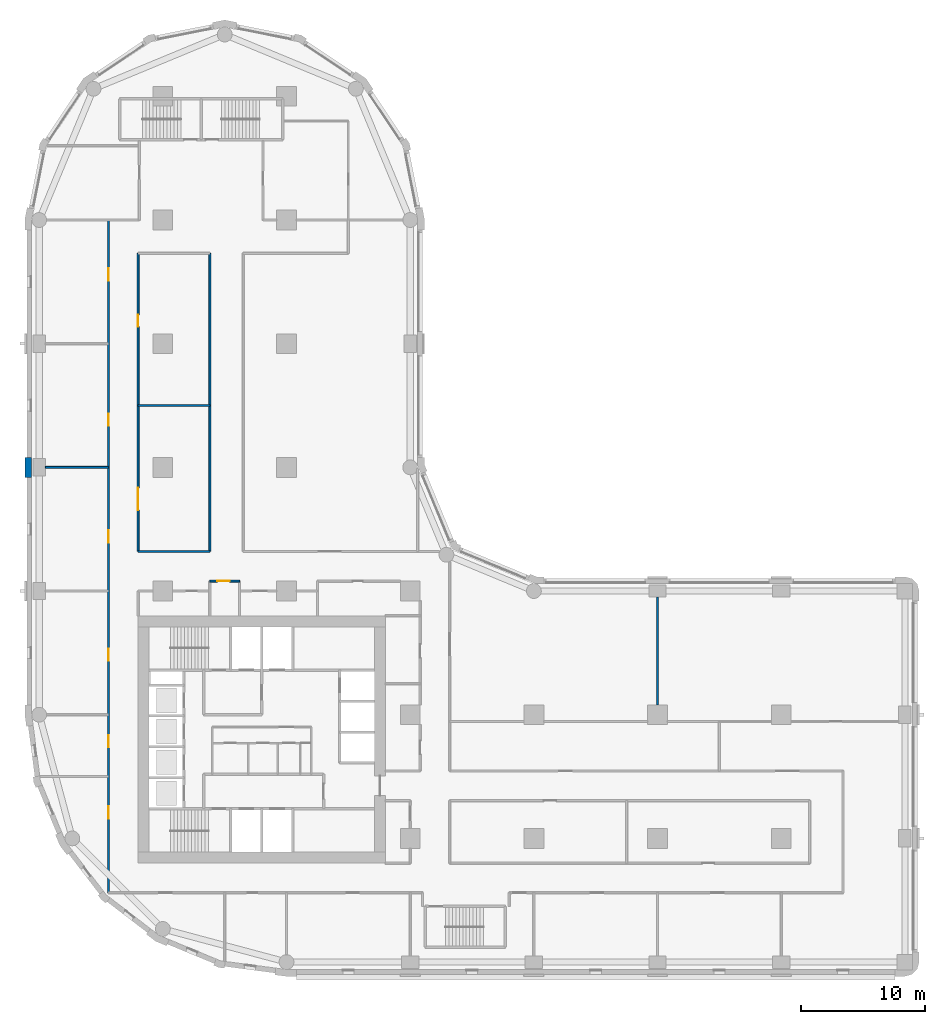
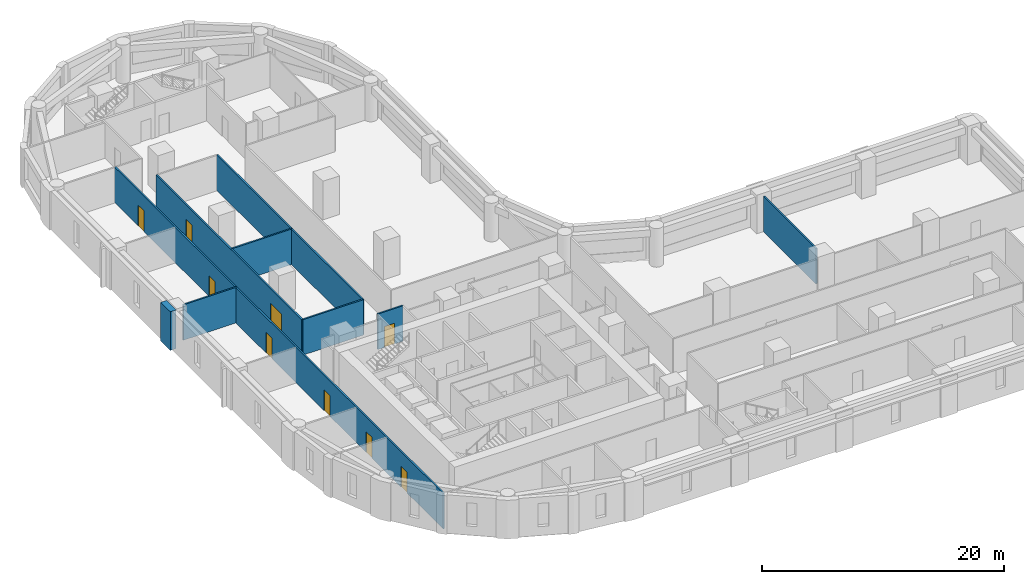
# One storey, part 5 of 11: 9 doors, 9 walls, 9 openings.
"""IFC4 building model written with IfcOpenShell, lengths in metres."""

from ifc_helpers import new_model, si_unit, direction, frame, frame_2d, origin, place, context, subcontext, project, spatial, polyline, rectangle, outline, extrude, material, layer, layer_set, type_object, element, fill, save


model = new_model("IFC4")

# Units and contexts
model_context = context("Model", 3, precision=1e-05, world=origin(), true_north=direction((0.0, 1.0)))
body_context = subcontext(model_context, "Body", "Model", "MODEL_VIEW")
ifc_project = project(units=[si_unit("LENGTHUNIT", "METRE"), si_unit("AREAUNIT", "SQUARE_METRE"), si_unit("VOLUMEUNIT", "CUBIC_METRE"), si_unit("PLANEANGLEUNIT", "RADIAN"), si_unit("MASSUNIT", "GRAM", prefix="KILO")], contexts=[model_context])

# Site, building, storey
site_placement = place(None, origin())
site = spatial("IfcSite", under=ifc_project, at=site_placement, CompositionType="ELEMENT")
building_placement = place(site_placement, origin())
building = spatial("IfcBuilding", under=site, at=building_placement, Name="Qaws Garden Tower", CompositionType="ELEMENT")
storey_placement = place(building_placement, frame((0.0, 0.0, 23.699951171875)))
storey = spatial("IfcBuildingStorey", under=building, at=storey_placement, Name="L05", CompositionType="ELEMENT", Elevation=23.699951171875)

# Wall
ifc_material_1 = material(Name="Clay facing brick masonry", Category="masonry")
ifc_layer_1 = layer(ifc_material_1, 0.550048828125)
ifc_layer_set_1 = layer_set([ifc_layer_1], Name="Clay facing brick masonry")
wall_type_1 = type_object("IfcWallType", Name="Brick pier 550 x 1600", PredefinedType="SOLIDWALL", material=ifc_layer_set_1)
wall_1_placement = place(storey_placement, origin())
element("IfcWall", 1, at=wall_1_placement, inside=storey, type_object=wall_type_1, Name="E-L05-pier-25", PredefinedType="SOLIDWALL", context=body_context, shape_type="SweptSolid", body=[
    extrude(outline(polyline([(-1.0, 40.800048828125), (-1.14990234375, 40.800048828125), (-1.14990234375, 40.0), (-1.14990234375, 39.199951171875), (-1.0, 39.199951171875), (-0.60009765625, 39.199951171875), (-0.60009765625, 40.0), (-0.60009765625, 40.800048828125), (-1.0, 40.800048828125)])), origin(), (0.0, 0.0, 1.0), 3.900146484375),
])

# Wall, openings, doors
ifc_material_2 = material(Name="Gypsum board partition")
ifc_layer_2 = layer(ifc_material_2, 0.14990234375)
ifc_layer_set_2 = layer_set([ifc_layer_2], Name="Gypsum board partition")
wall_type_2 = type_object("IfcWallType", Name="PARTITION 150 EI 60", PredefinedType="PARTITIONING", material=ifc_layer_set_2)
wall_2_placement = place(storey_placement, frame((5.60009765625, 5.60009765625, 0.0), z_axis=(0.0, 0.0, 1.0), x_axis=(0.0, 1.0, 0.0)))
wall_2 = element("IfcWall", 2, at=wall_2_placement, inside=storey, type_object=wall_type_2, Name="O-L05-wall-005", PredefinedType="PARTITIONING", context=body_context, shape_type="SweptSolid", body=[
    extrude(rectangle(XDim=54.39990234375, YDim=0.14990234375, at=frame_2d((27.199951171875, 0.0))), origin(), (0.0, 0.0, 1.0), 3.580078125),
])
opening_1_placement = place(wall_2_placement, frame((6.0, 0.0, 0.0)))
opening_1 = element("IfcOpeningElement", 3, at=opening_1_placement, cuts=wall_2, Name="Opening A201", PredefinedType="OPENING", context=body_context, shape_type="SweptSolid", body=[
    extrude(rectangle(XDim=1.0, YDim=2.10009765625, at=frame_2d((0.5, 1.050048828125))), frame((0.0, 0.0849609375, 0.0), z_axis=(0.0, -1.0, 0.0), x_axis=(1.0, 0.0, 0.0)), (0.0, 0.0, 1.0), 0.169921875),
])
opening_2_placement = place(wall_2_placement, frame((11.75, 0.0, 0.0)))
opening_2 = element("IfcOpeningElement", 4, at=opening_2_placement, cuts=wall_2, Name="Opening A202", PredefinedType="OPENING", context=body_context, shape_type="SweptSolid", body=[
    extrude(rectangle(XDim=1.0, YDim=2.10009765625, at=frame_2d((0.5, 1.050048828125))), frame((0.0, 0.0849609375, 0.0), z_axis=(0.0, -1.0, 0.0), x_axis=(1.0, 0.0, 0.0)), (0.0, 0.0, 1.0), 0.169921875),
])
opening_3_placement = place(wall_2_placement, frame((18.75, 0.0, 0.0)))
opening_3 = element("IfcOpeningElement", 5, at=opening_3_placement, cuts=wall_2, Name="Opening A212", PredefinedType="OPENING", context=body_context, shape_type="SweptSolid", body=[
    extrude(rectangle(XDim=1.0, YDim=2.10009765625, at=frame_2d((0.5, 1.050048828125))), frame((0.0, 0.0849609375, 0.0), z_axis=(0.0, -1.0, 0.0), x_axis=(1.0, 0.0, 0.0)), (0.0, 0.0, 1.0), 0.169921875),
])
opening_4_placement = place(wall_2_placement, frame((28.300048828125, 0.0, 0.0)))
opening_4 = element("IfcOpeningElement", 6, at=opening_4_placement, cuts=wall_2, Name="Opening A222", PredefinedType="OPENING", context=body_context, shape_type="SweptSolid", body=[
    extrude(rectangle(XDim=1.0, YDim=2.10009765625, at=frame_2d((0.5, 1.050048828125))), frame((0.0, 0.0849609375, 0.0), z_axis=(0.0, -1.0, 0.0), x_axis=(1.0, 0.0, 0.0)), (0.0, 0.0, 1.0), 0.169921875),
])
opening_5_placement = place(wall_2_placement, frame((37.75, 0.0, 0.0)))
opening_5 = element("IfcOpeningElement", 7, at=opening_5_placement, cuts=wall_2, Name="Opening A224", PredefinedType="OPENING", context=body_context, shape_type="SweptSolid", body=[
    extrude(rectangle(XDim=1.0, YDim=2.10009765625, at=frame_2d((0.5, 1.050048828125))), frame((0.0, 0.0849609375, 0.0), z_axis=(0.0, -1.0, 0.0), x_axis=(1.0, 0.0, 0.0)), (0.0, 0.0, 1.0), 0.169921875),
])
opening_6_placement = place(wall_2_placement, frame((49.5, 0.0, 0.0)))
opening_6 = element("IfcOpeningElement", 8, at=opening_6_placement, cuts=wall_2, Name="Opening A225", PredefinedType="OPENING", context=body_context, shape_type="SweptSolid", body=[
    extrude(rectangle(XDim=1.0, YDim=2.10009765625, at=frame_2d((0.5, 1.050048828125))), frame((0.0, 0.0849609375, 0.0), z_axis=(0.0, -1.0, 0.0), x_axis=(1.0, 0.0, 0.0)), (0.0, 0.0, 1.0), 0.169921875),
])
ifc_material_3 = material(Name="Timber door leaf", Category="wood")
door_type_1 = type_object("IfcDoorType", Name="TENANCY ENTRANCE DOOR 1000 X 2100", OperationType="SINGLE_SWING_LEFT", PredefinedType="DOOR", material=ifc_material_3)
door_1_placement = place(opening_1_placement, origin())
door_1 = element("IfcDoor", 9, at=door_1_placement, inside=storey, type_object=door_type_1, Name="O-L05-door-001", OperationType="SINGLE_SWING_RIGHT", OverallHeight=2.10009765625, OverallWidth=1.0, PredefinedType="DOOR", context=body_context, shape_type="SweptSolid", body=[
    extrude(rectangle(XDim=1.0, YDim=2.10009765625, at=frame_2d((0.5, 1.050048828125))), frame((0.0, 0.02490234375, 0.0), z_axis=(0.0, -1.0, 0.0), x_axis=(1.0, 0.0, 0.0)), (0.0, 0.0, 1.0), 0.050048828125),
])
fill(opening_1, door_1)
door_2_placement = place(opening_2_placement, origin())
door_2 = element("IfcDoor", 10, at=door_2_placement, inside=storey, type_object=door_type_1, Name="O-L05-door-002", OperationType="SINGLE_SWING_RIGHT", OverallHeight=2.10009765625, OverallWidth=1.0, PredefinedType="DOOR", context=body_context, shape_type="SweptSolid", body=[
    extrude(rectangle(XDim=1.0, YDim=2.10009765625, at=frame_2d((0.5, 1.050048828125))), frame((0.0, 0.02490234375, 0.0), z_axis=(0.0, -1.0, 0.0), x_axis=(1.0, 0.0, 0.0)), (0.0, 0.0, 1.0), 0.050048828125),
])
fill(opening_2, door_2)
door_3_placement = place(opening_3_placement, origin())
door_3 = element("IfcDoor", 11, at=door_3_placement, inside=storey, type_object=door_type_1, Name="O-L05-door-012", OperationType="SINGLE_SWING_RIGHT", OverallHeight=2.10009765625, OverallWidth=1.0, PredefinedType="DOOR", context=body_context, shape_type="SweptSolid", body=[
    extrude(rectangle(XDim=1.0, YDim=2.10009765625, at=frame_2d((0.5, 1.050048828125))), frame((0.0, 0.02490234375, 0.0), z_axis=(0.0, -1.0, 0.0), x_axis=(1.0, 0.0, 0.0)), (0.0, 0.0, 1.0), 0.050048828125),
])
fill(opening_3, door_3)
door_4_placement = place(opening_4_placement, origin())
door_4 = element("IfcDoor", 12, at=door_4_placement, inside=storey, type_object=door_type_1, Name="O-L05-door-022", OperationType="SINGLE_SWING_RIGHT", OverallHeight=2.10009765625, OverallWidth=1.0, PredefinedType="DOOR", context=body_context, shape_type="SweptSolid", body=[
    extrude(rectangle(XDim=1.0, YDim=2.10009765625, at=frame_2d((0.5, 1.050048828125))), frame((0.0, 0.02490234375, 0.0), z_axis=(0.0, -1.0, 0.0), x_axis=(1.0, 0.0, 0.0)), (0.0, 0.0, 1.0), 0.050048828125),
])
fill(opening_4, door_4)
door_5_placement = place(opening_5_placement, origin())
door_5 = element("IfcDoor", 13, at=door_5_placement, inside=storey, type_object=door_type_1, Name="O-L05-door-024", OperationType="SINGLE_SWING_LEFT", OverallHeight=2.10009765625, OverallWidth=1.0, PredefinedType="DOOR", context=body_context, shape_type="SweptSolid", body=[
    extrude(rectangle(XDim=1.0, YDim=2.10009765625, at=frame_2d((0.5, 1.050048828125))), frame((0.0, 0.02490234375, 0.0), z_axis=(0.0, -1.0, 0.0), x_axis=(1.0, 0.0, 0.0)), (0.0, 0.0, 1.0), 0.050048828125),
])
fill(opening_5, door_5)
door_6_placement = place(opening_6_placement, origin())
door_6 = element("IfcDoor", 14, at=door_6_placement, inside=storey, type_object=door_type_1, Name="O-L05-door-025", OperationType="SINGLE_SWING_LEFT", OverallHeight=2.10009765625, OverallWidth=1.0, PredefinedType="DOOR", context=body_context, shape_type="SweptSolid", body=[
    extrude(rectangle(XDim=1.0, YDim=2.10009765625, at=frame_2d((0.5, 1.050048828125))), frame((0.0, 0.02490234375, 0.0), z_axis=(0.0, -1.0, 0.0), x_axis=(1.0, 0.0, 0.0)), (0.0, 0.0, 1.0), 0.050048828125),
])
fill(opening_6, door_6)

wall_3_placement = place(storey_placement, frame((8.0, 33.199951171875, 0.0), z_axis=(0.0, 0.0, 1.0), x_axis=(0.0, 1.0, 0.0)))
wall_3 = element("IfcWall", 15, at=wall_3_placement, inside=storey, type_object=wall_type_2, Name="O-L05-wall-007", PredefinedType="PARTITIONING", context=body_context, shape_type="SweptSolid", body=[
    extrude(rectangle(XDim=24.10009765625, YDim=0.14990234375, at=frame_2d((12.050048828125, 0.0))), origin(), (0.0, 0.0, 1.0), 3.580078125),
])
opening_7_placement = place(wall_3_placement, frame((3.35009765625, 0.0, 0.0)))
opening_7 = element("IfcOpeningElement", 16, at=opening_7_placement, cuts=wall_3, Name="Opening A217", PredefinedType="OPENING", context=body_context, shape_type="SweptSolid", body=[
    extrude(rectangle(XDim=1.800048828125, YDim=2.10009765625, at=frame_2d((0.89990234375, 1.050048828125))), frame((0.0, 0.0849609375, 0.0), z_axis=(0.0, -1.0, 0.0), x_axis=(1.0, 0.0, 0.0)), (0.0, 0.0, 1.0), 0.169921875),
])
opening_8_placement = place(wall_3_placement, frame((18.14990234375, 0.0, 0.0)))
opening_8 = element("IfcOpeningElement", 17, at=opening_8_placement, cuts=wall_3, Name="Opening A218", PredefinedType="OPENING", context=body_context, shape_type="SweptSolid", body=[
    extrude(rectangle(XDim=1.0, YDim=2.10009765625, at=frame_2d((0.5, 1.050048828125))), frame((0.0, 0.0849609375, 0.0), z_axis=(0.0, -1.0, 0.0), x_axis=(1.0, 0.0, 0.0)), (0.0, 0.0, 1.0), 0.169921875),
])
ifc_material_4 = material(Name="Timber door leaf", Category="wood")
door_type_2 = type_object("IfcDoorType", Name="DOUBLE DOOR 1800 X 2100", OperationType="DOUBLE_DOOR_SINGLE_SWING", PredefinedType="DOOR", material=ifc_material_4)
door_7_placement = place(opening_7_placement, frame((1.800048828125, 0.0, 0.0), z_axis=(0.0, 0.0, 1.0), x_axis=(-1.0, 0.0, 0.0)))
door_7 = element("IfcDoor", 18, at=door_7_placement, inside=storey, type_object=door_type_2, Name="O-L05-door-017", OperationType="DOUBLE_DOOR_SINGLE_SWING", OverallHeight=2.10009765625, OverallWidth=1.800048828125, PredefinedType="DOOR", context=body_context, shape_type="SweptSolid", body=[
    extrude(rectangle(XDim=1.800048828125, YDim=2.10009765625, at=frame_2d((0.89990234375, 1.050048828125))), frame((0.0, 0.02490234375, 0.0), z_axis=(0.0, -1.0, 0.0), x_axis=(1.0, 0.0, 0.0)), (0.0, 0.0, 1.0), 0.050048828125),
])
fill(opening_7, door_7)
door_8_placement = place(opening_8_placement, frame((1.0, 0.0, 0.0), z_axis=(0.0, 0.0, 1.0), x_axis=(-1.0, 0.0, 0.0)))
door_8 = element("IfcDoor", 19, at=door_8_placement, inside=storey, type_object=door_type_1, Name="O-L05-door-018", OperationType="SINGLE_SWING_RIGHT", OverallHeight=2.10009765625, OverallWidth=1.0, PredefinedType="DOOR", context=body_context, shape_type="SweptSolid", body=[
    extrude(rectangle(XDim=1.0, YDim=2.10009765625, at=frame_2d((0.5, 1.050048828125))), frame((0.0, 0.02490234375, 0.0), z_axis=(0.0, -1.0, 0.0), x_axis=(1.0, 0.0, 0.0)), (0.0, 0.0, 1.0), 0.050048828125),
])
fill(opening_8, door_8)

# Walls
wall_4_placement = place(storey_placement, frame((13.800048828125, 33.199951171875, 0.0), z_axis=(0.0, 0.0, 1.0), x_axis=(0.0, 1.0, 0.0)))
element("IfcWall", 20, at=wall_4_placement, inside=storey, type_object=wall_type_2, Name="O-L05-wall-010", PredefinedType="PARTITIONING", context=body_context, shape_type="SweptSolid", body=[
    extrude(rectangle(XDim=24.10009765625, YDim=0.14990234375, at=frame_2d((12.050048828125, 0.0))), origin(), (0.0, 0.0, 1.0), 3.580078125),
])
wall_5_placement = place(storey_placement, frame((50.0, 20.800048828125, 0.0), z_axis=(0.0, 0.0, 1.0), x_axis=(0.0, 1.0, 0.0)))
element("IfcWall", 21, at=wall_5_placement, inside=storey, type_object=wall_type_2, Name="O-L05-wall-031", PredefinedType="PARTITIONING", context=body_context, shape_type="SweptSolid", body=[
    extrude(rectangle(XDim=8.699951171875, YDim=0.14990234375, at=frame_2d((4.35009765625, 0.0))), origin(), (0.0, 0.0, 1.0), 3.580078125),
])

# Wall, opening, door
wall_6_placement = place(storey_placement, frame((13.800048828125, 30.800048828125, 0.0), z_axis=(0.0, 0.0, 1.0), x_axis=(1.0, 0.0, 0.0)))
wall_6 = element("IfcWall", 22, at=wall_6_placement, inside=storey, type_object=wall_type_2, Name="O-L05-wall-056", PredefinedType="PARTITIONING", context=body_context, shape_type="SweptSolid", body=[
    extrude(rectangle(XDim=2.39990234375, YDim=0.14990234375, at=frame_2d((1.199951171875, 0.0))), origin(), (0.0, 0.0, 1.0), 3.580078125),
])
opening_9_placement = place(wall_6_placement, frame((0.60009765625, 0.0, 0.0)))
opening_9 = element("IfcOpeningElement", 23, at=opening_9_placement, cuts=wall_6, Name="Opening A223", PredefinedType="OPENING", context=body_context, shape_type="SweptSolid", body=[
    extrude(rectangle(XDim=1.0, YDim=2.10009765625, at=frame_2d((0.5, 1.050048828125))), frame((0.0, 0.0849609375, 0.0), z_axis=(0.0, -1.0, 0.0), x_axis=(1.0, 0.0, 0.0)), (0.0, 0.0, 1.0), 0.169921875),
])
door_9_placement = place(opening_9_placement, frame((1.0, 0.0, 0.0), z_axis=(0.0, 0.0, 1.0), x_axis=(-1.0, 0.0, 0.0)))
door_9 = element("IfcDoor", 24, at=door_9_placement, inside=storey, type_object=door_type_1, Name="O-L05-door-023", OperationType="SINGLE_SWING_RIGHT", OverallHeight=2.10009765625, OverallWidth=1.0, PredefinedType="DOOR", context=body_context, shape_type="SweptSolid", body=[
    extrude(rectangle(XDim=1.0, YDim=2.10009765625, at=frame_2d((0.5, 1.050048828125))), frame((0.0, 0.02490234375, 0.0), z_axis=(0.0, -1.0, 0.0), x_axis=(1.0, 0.0, 0.0)), (0.0, 0.0, 1.0), 0.050048828125),
])
fill(opening_9, door_9)

# Walls
wall_7_placement = place(storey_placement, frame((8.0, 33.199951171875, 0.0), z_axis=(0.0, 0.0, 1.0), x_axis=(1.0, 0.0, 0.0)))
element("IfcWall", 25, at=wall_7_placement, inside=storey, type_object=wall_type_2, Name="O-L05-wall-058", PredefinedType="PARTITIONING", context=body_context, shape_type="SweptSolid", body=[
    extrude(rectangle(XDim=5.800048828125, YDim=0.14990234375, at=frame_2d((2.89990234375, 0.0))), origin(), (0.0, 0.0, 1.0), 3.580078125),
])
wall_8_placement = place(storey_placement, frame((0.5, 40.0, 0.0), z_axis=(0.0, 0.0, 1.0), x_axis=(1.0, 0.0, 0.0)))
element("IfcWall", 26, at=wall_8_placement, inside=storey, type_object=wall_type_2, Name="O-L05-wall-060", PredefinedType="PARTITIONING", context=body_context, shape_type="SweptSolid", body=[
    extrude(rectangle(XDim=5.10009765625, YDim=0.14990234375, at=frame_2d((2.550048828125, 0.0))), origin(), (0.0, 0.0, 1.0), 3.580078125),
])
wall_9_placement = place(storey_placement, frame((8.0, 45.0, 0.0), z_axis=(0.0, 0.0, 1.0), x_axis=(1.0, 0.0, 0.0)))
element("IfcWall", 27, at=wall_9_placement, inside=storey, type_object=wall_type_2, Name="O-L05-wall-061", PredefinedType="PARTITIONING", context=body_context, shape_type="SweptSolid", body=[
    extrude(rectangle(XDim=5.800048828125, YDim=0.14990234375, at=frame_2d((2.89990234375, 0.0))), origin(), (0.0, 0.0, 1.0), 3.580078125),
])

save(model, "model.ifc")
